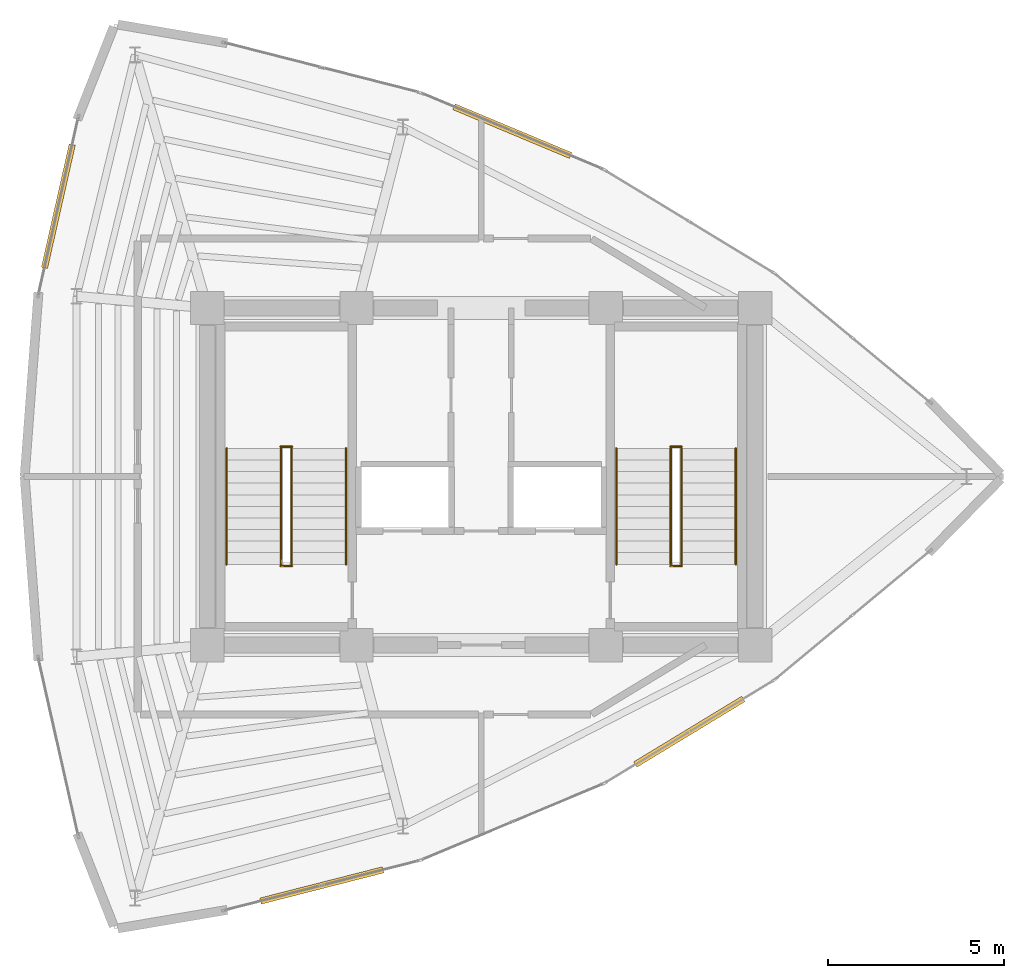
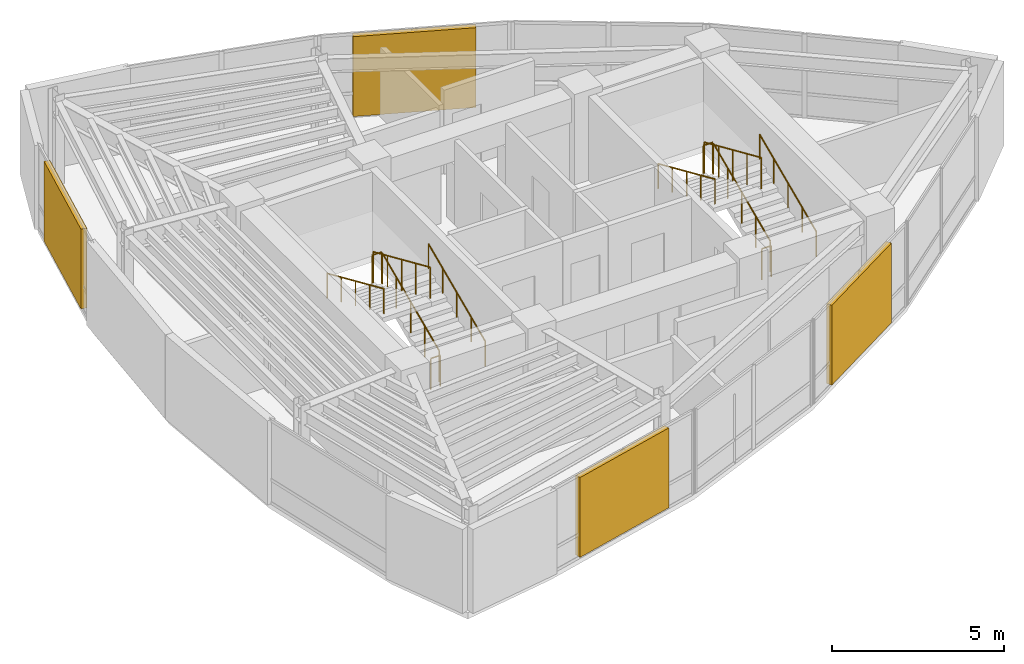
# One storey, part 14 of 14: 12 railings, 4 shading devices.
"""IFC4 building model written with IfcOpenShell, lengths in metres."""

from ifc_helpers import new_model, si_unit, direction, frame, origin, origin_2d, place, context, subcontext, project, spatial, rectangle, circle, extrude, material, layer, layer_set, type_object, element, save


model = new_model("IFC4")

# Units and contexts
model_context = context("Model", 3, precision=1e-05, world=origin(), true_north=direction((0.0, 1.0)))
body_context = subcontext(model_context, "Body", "Model", "MODEL_VIEW")
ifc_project = project(units=[si_unit("LENGTHUNIT", "METRE"), si_unit("AREAUNIT", "SQUARE_METRE"), si_unit("VOLUMEUNIT", "CUBIC_METRE"), si_unit("PLANEANGLEUNIT", "RADIAN"), si_unit("MASSUNIT", "GRAM", prefix="KILO")], contexts=[model_context])

# Site, building, storey
site_placement = place(None, origin())
site = spatial("IfcSite", under=ifc_project, at=site_placement, CompositionType="ELEMENT")
building_placement = place(site_placement, origin())
building = spatial("IfcBuilding", under=site, at=building_placement, Name="Menara Vayukalpa", CompositionType="ELEMENT")
storey_placement = place(building_placement, frame((0.0, 0.0, 302.419921875)))
storey = spatial("IfcBuildingStorey", under=building, at=storey_placement, Name="L77", CompositionType="ELEMENT", Elevation=302.419921875)

# Railings
ifc_material_1 = material(Name="Powder-Coated Galvanised Steel Guardrail", Category="steel")
railing_type_1 = type_object("IfcRailingType", Name="RLG-STG110", PredefinedType="GUARDRAIL", material=ifc_material_1)
railing_1_placement = place(storey_placement, frame((20.199951171875, 19.5, 0.1455078125)))
element("IfcRailing", 1, at=railing_1_placement, inside=storey, type_object=railing_type_1, Name="L77 ST-1 stair guard 1", PredefinedType="GUARDRAIL", context=body_context, shape_type="SweptSolid", body=[
    extrude(circle(Radius=0.02392578125, at=origin_2d()), frame((0.0, 0.0, 1.09619140625), z_axis=(0.0, 0.915052310208, 0.403335182675), x_axis=(-1.0, 0.0, 0.0)), (0.0, 0.0, 1.0), 3.6064453125),
    extrude(circle(Radius=0.02099609375, at=origin_2d()), origin(), (0.0, 0.0, 1.0), 1.072021484375),
    extrude(circle(Radius=0.02099609375, at=origin_2d()), frame((0.0, 0.824951171875, 0.36376953125)), (0.0, 0.0, 1.0), 1.072021484375),
    extrude(circle(Radius=0.02099609375, at=origin_2d()), frame((0.0, 1.64990234375, 0.727294921875)), (0.0, 0.0, 1.0), 1.072021484375),
    extrude(circle(Radius=0.02099609375, at=origin_2d()), frame((0.0, 2.47509765625, 1.0908203125)), (0.0, 0.0, 1.0), 1.072021484375),
    extrude(circle(Radius=0.02099609375, at=origin_2d()), frame((0.0, 3.300048828125, 1.45458984375)), (0.0, 0.0, 1.0), 1.072021484375),
])
railing_2_placement = place(storey_placement, frame((20.2099609375, 22.85009765625, 1.60009765625)))
element("IfcRailing", 2, at=railing_2_placement, inside=storey, type_object=railing_type_1, Name="L77 ST-1 stair guard 2", PredefinedType="GUARDRAIL", context=body_context, shape_type="SweptSolid", body=[
    extrude(circle(Radius=0.02392578125, at=origin_2d()), frame((0.0, 0.0, 1.09619140625), z_axis=(-1.0, 0.0, 0.0), x_axis=(0.0, -1.0, 0.0)), (0.0, 0.0, 1.0), 0.320068359375),
    extrude(circle(Radius=0.02099609375, at=origin_2d()), origin(), (0.0, 0.0, 1.0), 1.072021484375),
    extrude(circle(Radius=0.02099609375, at=origin_2d()), frame((-0.320068359375, 0.0, 0.0)), (0.0, 0.0, 1.0), 1.072021484375),
])
railing_3_placement = place(storey_placement, frame((19.89990234375, 22.800048828125, 1.74560546875)))
element("IfcRailing", 3, at=railing_3_placement, inside=storey, type_object=railing_type_1, Name="L77 ST-1 stair guard 3", PredefinedType="GUARDRAIL", context=body_context, shape_type="SweptSolid", body=[
    extrude(circle(Radius=0.02392578125, at=origin_2d()), frame((0.0, 0.0, 1.09619140625), z_axis=(0.0, -0.915052310208, 0.403335182675), x_axis=(1.0, 0.0, 0.0)), (0.0, 0.0, 1.0), 3.6064453125),
    extrude(circle(Radius=0.02099609375, at=origin_2d()), origin(), (0.0, 0.0, 1.0), 1.072021484375),
    extrude(circle(Radius=0.02099609375, at=origin_2d()), frame((0.0, -0.824951171875, 0.36376953125)), (0.0, 0.0, 1.0), 1.072021484375),
    extrude(circle(Radius=0.02099609375, at=origin_2d()), frame((0.0, -1.64990234375, 0.727294921875)), (0.0, 0.0, 1.0), 1.072021484375),
    extrude(circle(Radius=0.02099609375, at=origin_2d()), frame((0.0, -2.47509765625, 1.0908203125)), (0.0, 0.0, 1.0), 1.072021484375),
    extrude(circle(Radius=0.02099609375, at=origin_2d()), frame((0.0, -3.300048828125, 1.45458984375)), (0.0, 0.0, 1.0), 1.072021484375),
])
railing_4_placement = place(storey_placement, frame((20.2099609375, 19.449951171875, 0.0)))
element("IfcRailing", 4, at=railing_4_placement, inside=storey, type_object=railing_type_1, Name="L77 ST-1 stair guard 4", PredefinedType="GUARDRAIL", context=body_context, shape_type="SweptSolid", body=[
    extrude(circle(Radius=0.02392578125, at=origin_2d()), frame((0.0, 0.0, 1.09619140625), z_axis=(-1.0, 0.0, 0.0), x_axis=(0.0, -1.0, 0.0)), (0.0, 0.0, 1.0), 0.320068359375),
    extrude(circle(Radius=0.02099609375, at=origin_2d()), origin(), (0.0, 0.0, 1.0), 1.072021484375),
    extrude(circle(Radius=0.02099609375, at=origin_2d()), frame((-0.320068359375, 0.0, 0.0)), (0.0, 0.0, 1.0), 1.072021484375),
])
railing_5_placement = place(storey_placement, frame((31.300048828125, 19.5, 0.1455078125)))
element("IfcRailing", 5, at=railing_5_placement, inside=storey, type_object=railing_type_1, Name="L77 ST-2 stair guard 1", PredefinedType="GUARDRAIL", context=body_context, shape_type="SweptSolid", body=[
    extrude(circle(Radius=0.02392578125, at=origin_2d()), frame((0.0, 0.0, 1.09619140625), z_axis=(0.0, 0.915052310208, 0.403335182675), x_axis=(-1.0, 0.0, 0.0)), (0.0, 0.0, 1.0), 3.6064453125),
    extrude(circle(Radius=0.02099609375, at=origin_2d()), origin(), (0.0, 0.0, 1.0), 1.072021484375),
    extrude(circle(Radius=0.02099609375, at=origin_2d()), frame((0.0, 0.824951171875, 0.36376953125)), (0.0, 0.0, 1.0), 1.072021484375),
    extrude(circle(Radius=0.02099609375, at=origin_2d()), frame((0.0, 1.64990234375, 0.727294921875)), (0.0, 0.0, 1.0), 1.072021484375),
    extrude(circle(Radius=0.02099609375, at=origin_2d()), frame((0.0, 2.47509765625, 1.0908203125)), (0.0, 0.0, 1.0), 1.072021484375),
    extrude(circle(Radius=0.02099609375, at=origin_2d()), frame((0.0, 3.300048828125, 1.45458984375)), (0.0, 0.0, 1.0), 1.072021484375),
])
railing_6_placement = place(storey_placement, frame((31.31005859375, 22.85009765625, 1.60009765625)))
element("IfcRailing", 6, at=railing_6_placement, inside=storey, type_object=railing_type_1, Name="L77 ST-2 stair guard 2", PredefinedType="GUARDRAIL", context=body_context, shape_type="SweptSolid", body=[
    extrude(circle(Radius=0.02392578125, at=origin_2d()), frame((0.0, 0.0, 1.09619140625), z_axis=(-1.0, 0.0, 0.0), x_axis=(0.0, -1.0, 0.0)), (0.0, 0.0, 1.0), 0.320068359375),
    extrude(circle(Radius=0.02099609375, at=origin_2d()), origin(), (0.0, 0.0, 1.0), 1.072021484375),
    extrude(circle(Radius=0.02099609375, at=origin_2d()), frame((-0.320068359375, 0.0, 0.0)), (0.0, 0.0, 1.0), 1.072021484375),
])
railing_7_placement = place(storey_placement, frame((31.0, 22.800048828125, 1.74560546875)))
element("IfcRailing", 7, at=railing_7_placement, inside=storey, type_object=railing_type_1, Name="L77 ST-2 stair guard 3", PredefinedType="GUARDRAIL", context=body_context, shape_type="SweptSolid", body=[
    extrude(circle(Radius=0.02392578125, at=origin_2d()), frame((0.0, 0.0, 1.09619140625), z_axis=(0.0, -0.915052310208, 0.403335182675), x_axis=(1.0, 0.0, 0.0)), (0.0, 0.0, 1.0), 3.6064453125),
    extrude(circle(Radius=0.02099609375, at=origin_2d()), origin(), (0.0, 0.0, 1.0), 1.072021484375),
    extrude(circle(Radius=0.02099609375, at=origin_2d()), frame((0.0, -0.824951171875, 0.36376953125)), (0.0, 0.0, 1.0), 1.072021484375),
    extrude(circle(Radius=0.02099609375, at=origin_2d()), frame((0.0, -1.64990234375, 0.727294921875)), (0.0, 0.0, 1.0), 1.072021484375),
    extrude(circle(Radius=0.02099609375, at=origin_2d()), frame((0.0, -2.47509765625, 1.0908203125)), (0.0, 0.0, 1.0), 1.072021484375),
    extrude(circle(Radius=0.02099609375, at=origin_2d()), frame((0.0, -3.300048828125, 1.45458984375)), (0.0, 0.0, 1.0), 1.072021484375),
])
railing_8_placement = place(storey_placement, frame((31.31005859375, 19.449951171875, 0.0)))
element("IfcRailing", 8, at=railing_8_placement, inside=storey, type_object=railing_type_1, Name="L77 ST-2 stair guard 4", PredefinedType="GUARDRAIL", context=body_context, shape_type="SweptSolid", body=[
    extrude(circle(Radius=0.02392578125, at=origin_2d()), frame((0.0, 0.0, 1.09619140625), z_axis=(-1.0, 0.0, 0.0), x_axis=(0.0, -1.0, 0.0)), (0.0, 0.0, 1.0), 0.320068359375),
    extrude(circle(Radius=0.02099609375, at=origin_2d()), origin(), (0.0, 0.0, 1.0), 1.072021484375),
    extrude(circle(Radius=0.02099609375, at=origin_2d()), frame((-0.320068359375, 0.0, 0.0)), (0.0, 0.0, 1.0), 1.072021484375),
])
ifc_material_2 = material(Name="Stainless Steel 316 Tubular Handrail", Category="steel")
railing_type_2 = type_object("IfcRailingType", Name="RLG-STH090", PredefinedType="HANDRAIL", material=ifc_material_2)
railing_9_placement = place(storey_placement, frame((21.75, 19.5, 0.1455078125)))
element("IfcRailing", 9, at=railing_9_placement, inside=storey, type_object=railing_type_2, Name="L77 ST-1 stair handrail 1", PredefinedType="HANDRAIL", context=body_context, shape_type="SweptSolid", body=[
    extrude(circle(Radius=0.02392578125, at=origin_2d()), frame((0.0, 0.0, 0.8759765625), z_axis=(0.0, 0.915052310208, 0.403335182675), x_axis=(-1.0, 0.0, 0.0)), (0.0, 0.0, 1.0), 3.6064453125),
    extrude(circle(Radius=0.02099609375, at=origin_2d()), origin(), (0.0, 0.0, 1.0), 0.851806640625),
    extrude(circle(Radius=0.02099609375, at=origin_2d()), frame((0.0, 0.824951171875, 0.36376953125)), (0.0, 0.0, 1.0), 0.851806640625),
    extrude(circle(Radius=0.02099609375, at=origin_2d()), frame((0.0, 1.64990234375, 0.727294921875)), (0.0, 0.0, 1.0), 0.851806640625),
    extrude(circle(Radius=0.02099609375, at=origin_2d()), frame((0.0, 2.47509765625, 1.0908203125)), (0.0, 0.0, 1.0), 0.851806640625),
    extrude(circle(Radius=0.02099609375, at=origin_2d()), frame((0.0, 3.300048828125, 1.45458984375)), (0.0, 0.0, 1.0), 0.851806640625),
])
railing_10_placement = place(storey_placement, frame((18.35009765625, 22.800048828125, 1.74560546875)))
element("IfcRailing", 10, at=railing_10_placement, inside=storey, type_object=railing_type_2, Name="L77 ST-1 stair handrail 2", PredefinedType="HANDRAIL", context=body_context, shape_type="SweptSolid", body=[
    extrude(circle(Radius=0.02392578125, at=origin_2d()), frame((0.0, 0.0, 0.8759765625), z_axis=(0.0, -0.915052310208, 0.403335182675), x_axis=(1.0, 0.0, 0.0)), (0.0, 0.0, 1.0), 3.6064453125),
    extrude(circle(Radius=0.02099609375, at=origin_2d()), origin(), (0.0, 0.0, 1.0), 0.851806640625),
    extrude(circle(Radius=0.02099609375, at=origin_2d()), frame((0.0, -0.824951171875, 0.36376953125)), (0.0, 0.0, 1.0), 0.851806640625),
    extrude(circle(Radius=0.02099609375, at=origin_2d()), frame((0.0, -1.64990234375, 0.727294921875)), (0.0, 0.0, 1.0), 0.851806640625),
    extrude(circle(Radius=0.02099609375, at=origin_2d()), frame((0.0, -2.47509765625, 1.0908203125)), (0.0, 0.0, 1.0), 0.851806640625),
    extrude(circle(Radius=0.02099609375, at=origin_2d()), frame((0.0, -3.300048828125, 1.45458984375)), (0.0, 0.0, 1.0), 0.851806640625),
])
railing_11_placement = place(storey_placement, frame((32.85009765625, 19.5, 0.1455078125)))
element("IfcRailing", 11, at=railing_11_placement, inside=storey, type_object=railing_type_2, Name="L77 ST-2 stair handrail 1", PredefinedType="HANDRAIL", context=body_context, shape_type="SweptSolid", body=[
    extrude(circle(Radius=0.02392578125, at=origin_2d()), frame((0.0, 0.0, 0.8759765625), z_axis=(0.0, 0.915052310208, 0.403335182675), x_axis=(-1.0, 0.0, 0.0)), (0.0, 0.0, 1.0), 3.6064453125),
    extrude(circle(Radius=0.02099609375, at=origin_2d()), origin(), (0.0, 0.0, 1.0), 0.851806640625),
    extrude(circle(Radius=0.02099609375, at=origin_2d()), frame((0.0, 0.824951171875, 0.36376953125)), (0.0, 0.0, 1.0), 0.851806640625),
    extrude(circle(Radius=0.02099609375, at=origin_2d()), frame((0.0, 1.64990234375, 0.727294921875)), (0.0, 0.0, 1.0), 0.851806640625),
    extrude(circle(Radius=0.02099609375, at=origin_2d()), frame((0.0, 2.47509765625, 1.0908203125)), (0.0, 0.0, 1.0), 0.851806640625),
    extrude(circle(Radius=0.02099609375, at=origin_2d()), frame((0.0, 3.300048828125, 1.45458984375)), (0.0, 0.0, 1.0), 0.851806640625),
])
railing_12_placement = place(storey_placement, frame((29.449951171875, 22.800048828125, 1.74560546875)))
element("IfcRailing", 12, at=railing_12_placement, inside=storey, type_object=railing_type_2, Name="L77 ST-2 stair handrail 2", PredefinedType="HANDRAIL", context=body_context, shape_type="SweptSolid", body=[
    extrude(circle(Radius=0.02392578125, at=origin_2d()), frame((0.0, 0.0, 0.8759765625), z_axis=(0.0, -0.915052310208, 0.403335182675), x_axis=(1.0, 0.0, 0.0)), (0.0, 0.0, 1.0), 3.6064453125),
    extrude(circle(Radius=0.02099609375, at=origin_2d()), origin(), (0.0, 0.0, 1.0), 0.851806640625),
    extrude(circle(Radius=0.02099609375, at=origin_2d()), frame((0.0, -0.824951171875, 0.36376953125)), (0.0, 0.0, 1.0), 0.851806640625),
    extrude(circle(Radius=0.02099609375, at=origin_2d()), frame((0.0, -1.64990234375, 0.727294921875)), (0.0, 0.0, 1.0), 0.851806640625),
    extrude(circle(Radius=0.02099609375, at=origin_2d()), frame((0.0, -2.47509765625, 1.0908203125)), (0.0, 0.0, 1.0), 0.851806640625),
    extrude(circle(Radius=0.02099609375, at=origin_2d()), frame((0.0, -3.300048828125, 1.45458984375)), (0.0, 0.0, 1.0), 0.851806640625),
])

# Shading devices
ifc_material_3 = material(Name="Anodised Terracotta Aluminium Acoustic Louvre", Category="masonry")
ifc_layer = layer(ifc_material_3, 0.280029296875)
ifc_layer_set = layer_set([ifc_layer], Name="Anodised Terracotta Aluminium Acoustic Louvre")
shading_device_type = type_object("IfcShadingDeviceType", Name="SHD-LV1", PredefinedType="JALOUSIE", material=ifc_layer_set)
for number, where, z_axis, x_axis, name in (
    (13, (26.48583984375, 31.835205078125, 0.074951171875), (0.0, 0.0, 1.0), (-0.922538089456, 0.385906042324, 0.0), "L77 Crown Plant Louvre Screen 05"),
    (14, (13.558837890625, 29.69921875, 0.074951171875), (0.0, 0.0, 1.0), (-0.219522692765, -0.975607394068, 0.0), "L77 Crown Plant Louvre Screen 09"),
    (15, (21.0615234375, 10.354248046875, 0.074951171875), (0.0, 0.0, 1.0), (0.968985547553, 0.247117398484, 0.0), "L77 Crown Plant Louvre Screen 15"),
    (16, (31.525146484375, 14.73095703125, 0.074951171875), (0.0, 0.0, 1.0), (0.85466730962, 0.519176068272, 0.0), "L77 Crown Plant Louvre Screen 17"),
):
    element("IfcShadingDevice", number, at=place(storey_placement, frame(where, z_axis=z_axis, x_axis=x_axis)), inside=storey, type_object=shading_device_type, Name=name, PredefinedType="JALOUSIE", context=body_context, shape_type="SweptSolid", body=[
        extrude(rectangle(XDim=3.60009765625, YDim=0.179931640625, at=origin_2d()), origin(), (0.0, 0.0, 1.0), 2.830078125),
    ])

save(model, "model.ifc")
